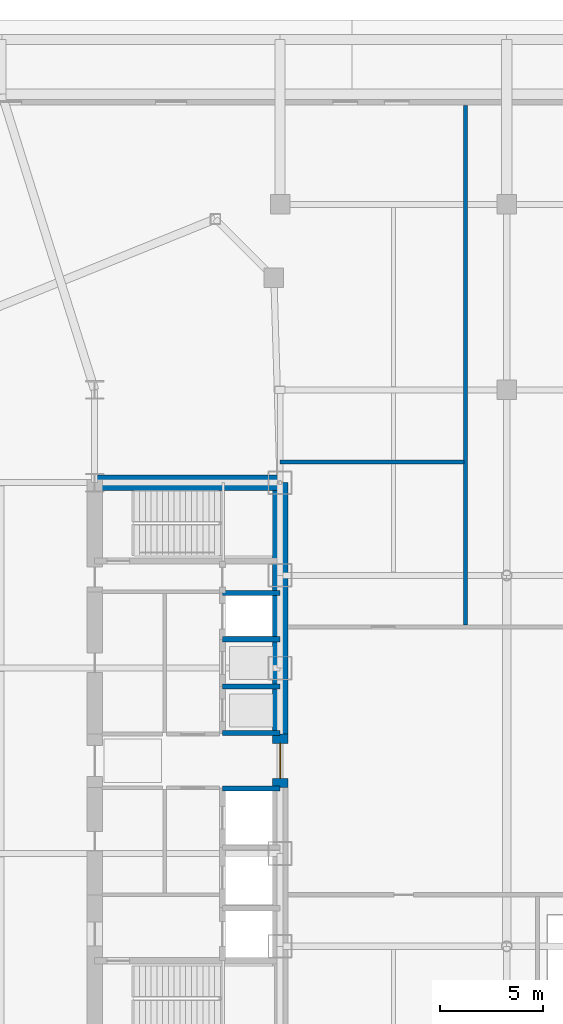
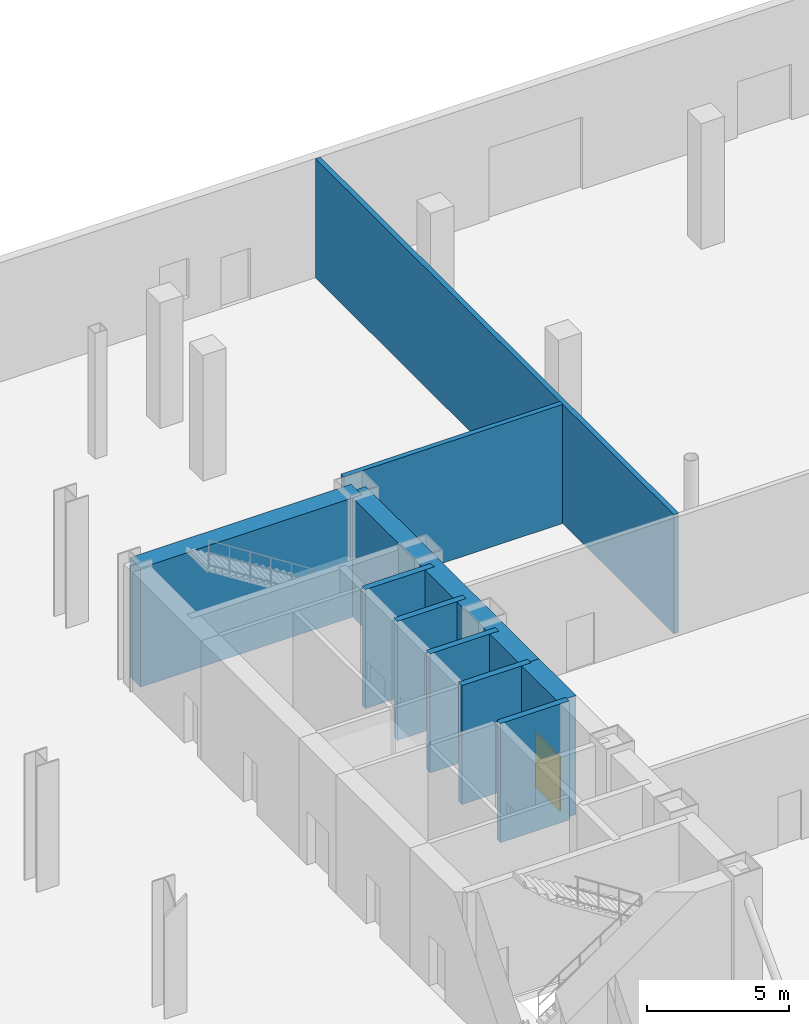
# One storey, part 11 of 21: 10 walls, 1 door, 1 opening.
"""IFC4 building model written with IfcOpenShell, lengths in metres."""

from ifc_helpers import new_model, si_unit, direction, frame, frame_2d, origin, place, context, subcontext, project, spatial, rectangle, extrude, source, transform, mapped, material, layer, layer_set, type_object, type_shapes, element, fill, save


model = new_model("IFC4")

# Units and contexts
model_context = context("Model", 3, precision=1e-05, world=origin(), true_north=direction((0.0, 1.0)))
body_context = subcontext(model_context, "Body", "Model", "MODEL_VIEW")
ifc_project = project(units=[si_unit("LENGTHUNIT", "METRE"), si_unit("AREAUNIT", "SQUARE_METRE"), si_unit("VOLUMEUNIT", "CUBIC_METRE"), si_unit("PLANEANGLEUNIT", "RADIAN"), si_unit("MASSUNIT", "GRAM", prefix="KILO")], contexts=[model_context])

# Site, building, storey
site_placement = place(None, origin())
site = spatial("IfcSite", under=ifc_project, at=site_placement, CompositionType="ELEMENT")
building_placement = place(site_placement, origin())
building = spatial("IfcBuilding", under=site, at=building_placement, Name="Seokmaru Belvedere", CompositionType="ELEMENT")
storey_placement = place(building_placement, origin())
storey = spatial("IfcBuildingStorey", under=building, at=storey_placement, Name="L00", CompositionType="ELEMENT", Elevation=0.0)

# Walls
ifc_material_1 = material(Name="Concrete C50 (50 MPa)", Category="concrete")
ifc_layer_1 = layer(ifc_material_1, 0.25)
ifc_layer_set_1 = layer_set([ifc_layer_1], Name="Concrete C50 (50 MPa)")
wall_type_1 = type_object("IfcWallType", Name="Hoistway Transverse Concrete Divider Wall 250", PredefinedType="SHEAR", material=ifc_layer_set_1)
for number, where, z_axis, x_axis, name in (
    (1, (-30.300048828125, -1.35009765625, 0.0), (0.0, 0.0, 1.0), (1.0, 0.0, 0.0), "L00 West Hoistway Divider Core Wall 3"),
    (2, (-30.300048828125, 1.35009765625, 0.0), (0.0, 0.0, 1.0), (1.0, 0.0, 0.0), "L00 West Hoistway Divider Core Wall 4"),
    (3, (-30.300048828125, 3.60009765625, 0.0), (0.0, 0.0, 1.0), (1.0, 0.0, 0.0), "L00 West Hoistway Divider Core Wall 5"),
    (4, (-30.300048828125, 5.89990234375, 0.0), (0.0, 0.0, 1.0), (1.0, 0.0, 0.0), "L00 West Hoistway Divider Core Wall 6"),
    (5, (-30.300048828125, 8.14990234375, 0.0), (0.0, 0.0, 1.0), (1.0, 0.0, 0.0), "L00 West Hoistway Divider Core Wall 7"),
):
    element("IfcWall", number, at=place(storey_placement, frame(where, z_axis=z_axis, x_axis=x_axis)), inside=storey, type_object=wall_type_1, Name=name, PredefinedType="SHEAR", context=body_context, shape_type="SweptSolid", body=[
        extrude(rectangle(XDim=2.800048828125, YDim=0.25, at=frame_2d((1.39990234375, 0.0))), origin(), (0.0, 0.0, 1.0), 5.1201171875),
    ])
ifc_material_2 = material(Name="Fire-Rated Gypsum Shaftwall")
ifc_layer_2 = layer(ifc_material_2, 0.199951171875)
ifc_layer_set_2 = layer_set([ifc_layer_2], Name="Fire-Rated Gypsum Shaftwall")
wall_type_2 = type_object("IfcWallType", Name="Inter-Tenancy Fire Compartment Partition 200", PredefinedType="PARTITIONING", material=ifc_layer_set_2)
wall_1_placement = place(storey_placement, frame((-27.5, 14.5, 0.0), z_axis=(0.0, 0.0, 1.0), x_axis=(1.0, 0.0, 0.0)))
element("IfcWall", 6, at=wall_1_placement, inside=storey, type_object=wall_type_2, Name="L00 Interior Partition 004", PredefinedType="PARTITIONING", context=body_context, shape_type="SweptSolid", body=[
    extrude(rectangle(XDim=8.9150390625, YDim=0.199951171875, at=frame_2d((4.45751953125, 0.0))), origin(), (0.0, 0.0, 1.0), 5.1201171875),
])
wall_2_placement = place(storey_placement, frame((-18.5, 6.5849609375, 0.0), z_axis=(0.0, 0.0, 1.0), x_axis=(0.0, 1.0, 0.0)))
element("IfcWall", 7, at=wall_2_placement, inside=storey, type_object=wall_type_2, Name="L00 Interior Partition 008", PredefinedType="PARTITIONING", context=body_context, shape_type="SweptSolid", body=[
    extrude(rectangle(XDim=25.215087890625, YDim=0.199951171875, at=frame_2d((12.607421875, 0.0))), origin(), (0.0, 0.0, 1.0), 5.1201171875),
])
ifc_material_3 = material(Name="Concrete C60 (60 MPa)", Category="concrete")
ifc_layer_3 = layer(ifc_material_3, 0.75)
ifc_layer_set_3 = layer_set([ifc_layer_3], Name="Concrete C60 (60 MPa)")
wall_type_3 = type_object("IfcWallType", Name="Lower Tower Reinforced Concrete Core Wall 750", PredefinedType="SHEAR", material=ifc_layer_set_3)
wall_3_placement = place(storey_placement, frame((-27.5, 1.300048828125, 0.0), z_axis=(0.0, 0.0, 1.0), x_axis=(0.0, 1.0, 0.0)))
element("IfcWall", 8, at=wall_3_placement, inside=storey, type_object=wall_type_3, Name="L00 West Portal Spine Core Wall North", PredefinedType="SHEAR", context=body_context, shape_type="SweptSolid", body=[
    extrude(rectangle(XDim=12.199951171875, YDim=0.75, at=frame_2d((6.10009765625, 0.0))), origin(), (0.0, 0.0, 1.0), 5.1201171875),
])

# Wall, opening, door
wall_4_placement = place(storey_placement, frame((-27.5, -1.300048828125, 0.0), z_axis=(0.0, 0.0, 1.0), x_axis=(0.0, 1.0, 0.0)))
wall_4 = element("IfcWall", 9, at=wall_4_placement, inside=storey, type_object=wall_type_3, Name="L00 West Portal Spine Core Wall Center", PredefinedType="SHEAR", context=body_context, shape_type="SweptSolid", body=[
    extrude(rectangle(XDim=2.60009765625, YDim=0.75, at=frame_2d((1.300048828125, 0.0))), origin(), (0.0, 0.0, 1.0), 5.1201171875),
])
opening_placement = place(wall_4_placement, frame((0.449951171875, 0.0, 0.0)))
opening = element("IfcOpeningElement", 10, at=opening_placement, cuts=wall_4, Name="Opening D09", PredefinedType="OPENING", context=body_context, shape_type="SweptSolid", body=[
    extrude(rectangle(XDim=1.699951171875, YDim=2.35009765625, at=frame_2d((0.85009765625, 1.175048828125))), frame((0.0, 0.385009765625, 0.0), z_axis=(0.0, -1.0, 0.0), x_axis=(1.0, 0.0, 0.0)), (0.0, 0.0, 1.0), 0.77001953125),
])
ifc_material_4 = material(Name="Fire-Rated Steel Leaf", Category="steel")
door_type = type_object("IfcDoorType", Name="Sky-Gate Bridge Inter-Tower Fire Door 1700x2350", OperationType="DOUBLE_SWING_LEFT", PredefinedType="DOOR", material=ifc_material_4)
shared_shape = source(origin(), body_context, "Body", "SweptSolid", [
    extrude(rectangle(XDim=1.699951171875, YDim=2.35009765625, at=frame_2d((0.85009765625, 1.175048828125))), frame((0.0, 0.02490234375, 0.0), z_axis=(0.0, -1.0, 0.0), x_axis=(1.0, 0.0, 0.0)), (0.0, 0.0, 1.0), 0.050048828125),
])
type_shapes(door_type, [shared_shape])
door_placement = place(opening_placement, origin())
door = element("IfcDoor", 11, at=door_placement, inside=storey, type_object=door_type, Name="L00 West Inter-Tower Fire Door", OperationType="DOUBLE_SWING_LEFT", OverallHeight=2.35009765625, OverallWidth=1.699951171875, PredefinedType="DOOR", context=body_context, shape_type="MappedRepresentation", body=[
    mapped(shared_shape, transform((0.0, 0.0, 0.0), scale=1.0)),
])
fill(opening, door)

# Wall
wall_5_placement = place(storey_placement, frame((-36.5, 13.5, 0.0), z_axis=(0.0, 0.0, 1.0), x_axis=(1.0, 0.0, 0.0)))
element("IfcWall", 12, at=wall_5_placement, inside=storey, type_object=wall_type_3, Name="L00 West North Core Wall", PredefinedType="SHEAR", context=body_context, shape_type="SweptSolid", body=[
    extrude(rectangle(XDim=9.0, YDim=0.75, at=frame_2d((4.5, 0.0))), origin(), (0.0, 0.0, 1.0), 5.1201171875),
])

save(model, "model.ifc")
